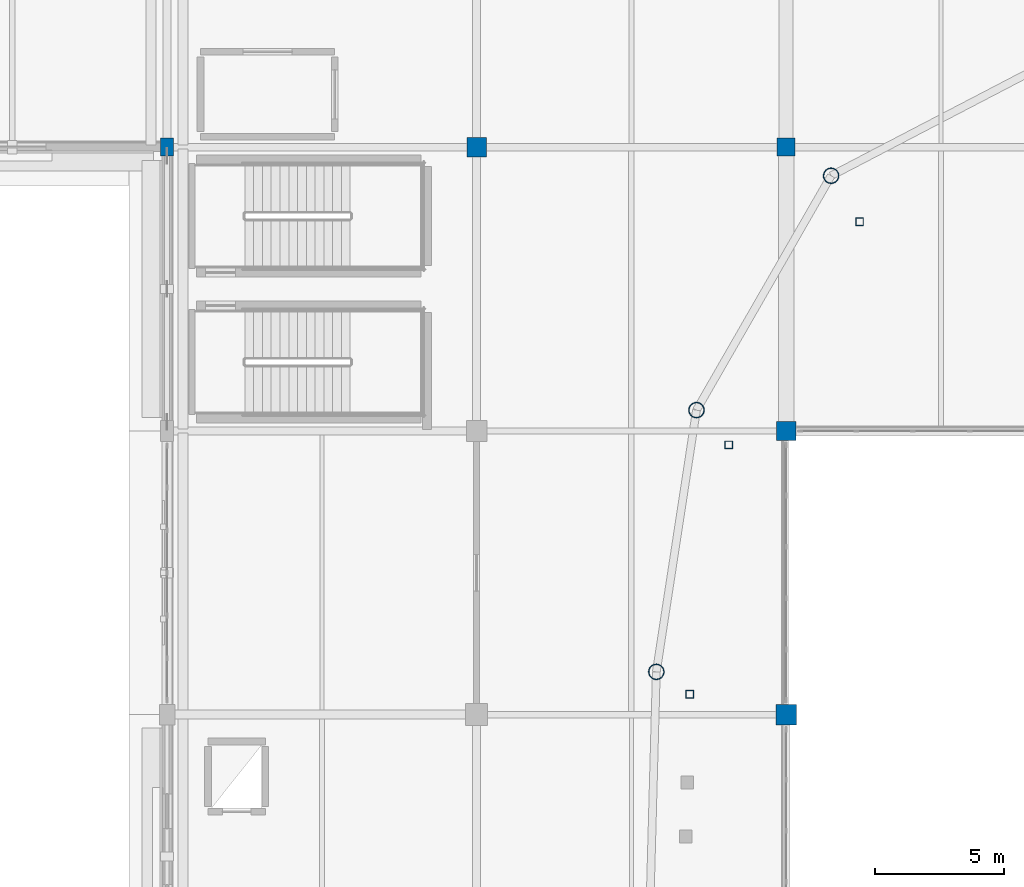
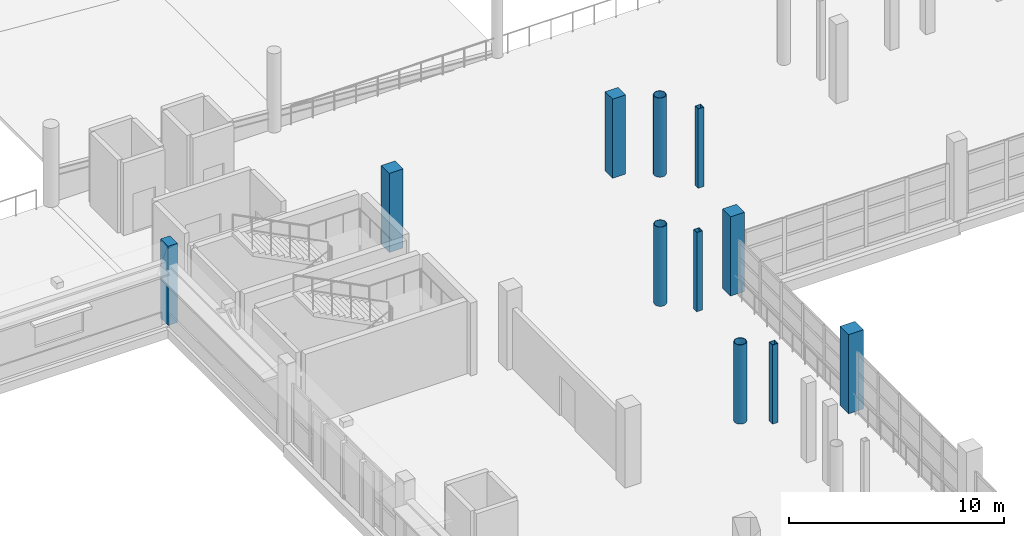
# One storey, part 9 of 118: 11 columns.
"""IFC4 building model written with IfcOpenShell, lengths in metres."""

from ifc_helpers import new_model, si_unit, direction, frame, origin, origin_2d, place, context, subcontext, project, spatial, rectangle, hollow_rectangle, hollow_circle, extrude, material, material_profile, profile_set, type_object, element, save


model = new_model("IFC4")

# Units and contexts
model_context = context("Model", 3, precision=1e-05, world=origin(), true_north=direction((0.0, 1.0)))
body_context = subcontext(model_context, "Body", "Model", "MODEL_VIEW")
ifc_project = project(units=[si_unit("LENGTHUNIT", "METRE"), si_unit("AREAUNIT", "SQUARE_METRE"), si_unit("VOLUMEUNIT", "CUBIC_METRE"), si_unit("PLANEANGLEUNIT", "RADIAN"), si_unit("MASSUNIT", "GRAM", prefix="KILO")], contexts=[model_context])

# Site, building, storey
site_placement = place(None, origin())
site = spatial("IfcSite", under=ifc_project, at=site_placement, CompositionType="ELEMENT")
building_placement = place(site_placement, origin())
building = spatial("IfcBuilding", under=site, at=building_placement, Name="Luwafu Chhajja Arena", CompositionType="ELEMENT")
storey_placement = place(building_placement, frame((0.0, 0.0, 10.199951171875)))
storey = spatial("IfcBuildingStorey", under=building, at=storey_placement, Name="L02", CompositionType="ELEMENT", Elevation=10.199951171875)

# Columns
ifc_material_1 = material(Name="Concrete C35/45", Category="concrete")
ifc_material_profile_1 = material_profile(ifc_material_1, rectangle(XDim=0.800048828125, YDim=0.800048828125, at=origin_2d()), Name="RC 800x800")
ifc_profile_set_1 = profile_set([ifc_material_profile_1], Name="Concrete C35/45")
column_type_1 = type_object("IfcColumnType", Name="Concourse Standard Column RC 800", PredefinedType="COLUMN", material=ifc_profile_set_1)
column_1_placement = place(storey_placement, frame((58.0, 66.0, 0.0), z_axis=(0.0, 0.0, 1.0), x_axis=(1.0, 0.0, 0.0)))
element("IfcColumn", 1, at=column_1_placement, inside=storey, type_object=column_type_1, Name="L02 Grid Column 6/G", PredefinedType="COLUMN", context=body_context, shape_type="SweptSolid", body=[
    extrude(rectangle(XDim=0.800048828125, YDim=0.800048828125, at=origin_2d()), origin(), (0.0, 0.0, 1.0), 4.5),
])
ifc_material_profile_2 = material_profile(ifc_material_1, rectangle(XDim=0.75, YDim=0.75, at=origin_2d()), Name="RC 750x750")
ifc_profile_set_2 = profile_set([ifc_material_profile_2], Name="Concrete C35/45")
column_type_2 = type_object("IfcColumnType", Name="Hospitality Ring Column RC 750", PredefinedType="COLUMN", material=ifc_profile_set_2)
for number, where, z_axis, x_axis, name in (
    (2, (46.0, 88.0, 0.0), (0.0, 0.0, 1.0), (1.0, 0.0, 0.0), "L02 Grid Column 5/J"),
    (3, (58.0, 77.0, 0.0), (0.0, 0.0, 1.0), (1.0, 0.0, 0.0), "L02 Grid Column 6/H"),
):
    element("IfcColumn", number, at=place(storey_placement, frame(where, z_axis=z_axis, x_axis=x_axis)), inside=storey, type_object=column_type_2, Name=name, PredefinedType="COLUMN", context=body_context, shape_type="SweptSolid", body=[
        extrude(rectangle(XDim=0.75, YDim=0.75, at=origin_2d()), origin(), (0.0, 0.0, 1.0), 4.5),
    ])
ifc_material_profile_3 = material_profile(ifc_material_1, rectangle(XDim=0.5, YDim=0.699951171875, at=origin_2d()), Name="RC 500x700")
ifc_profile_set_3 = profile_set([ifc_material_profile_3], Name="Concrete C35/45")
column_type_3 = type_object("IfcColumnType", Name="Perimeter Pilaster Column RC 500x700", PredefinedType="COLUMN", material=ifc_profile_set_3)
column_2_placement = place(storey_placement, frame((34.0, 88.0, 0.0), z_axis=(0.0, 0.0, 1.0), x_axis=(1.0, 0.0, 0.0)))
element("IfcColumn", 4, at=column_2_placement, inside=storey, type_object=column_type_3, Name="L02 Grid Column 4/J", PredefinedType="COLUMN", context=body_context, shape_type="SweptSolid", body=[
    extrude(rectangle(XDim=0.5, YDim=0.699951171875, at=origin_2d()), origin(), (0.0, 0.0, 1.0), 4.5),
])
ifc_material_2 = material(Name="Steel S355", Category="steel")
ifc_material_profile_4 = material_profile(ifc_material_2, hollow_circle(Radius=0.304931640625, WallThickness=0.02490234375, at=origin_2d()), Name="CHS 610x25")
ifc_profile_set_4 = profile_set([ifc_material_profile_4], Name="Steel S355")
column_type_4 = type_object("IfcColumnType", Name="Steel Bowl Drum Column CHS 610", PredefinedType="COLUMN", material=ifc_profile_set_4)
for number, where, z_axis, x_axis, name in (
    (5, (59.743896484375, 86.890869140625, 0.0), (0.0, 0.0, 1.0), (1.0, 0.0, 0.0), "L02 Bowl Drum Column D13"),
    (6, (54.52392578125, 77.805908203125, 0.0), (0.0, 0.0, 1.0), (1.0, 0.0, 0.0), "L02 Bowl Drum Column D14"),
    (7, (52.968017578125, 67.6611328125, 0.0), (0.0, 0.0, 1.0), (1.0, 0.0, 0.0), "L02 Bowl Drum Column D15"),
):
    element("IfcColumn", number, at=place(storey_placement, frame(where, z_axis=z_axis, x_axis=x_axis)), inside=storey, type_object=column_type_4, Name=name, PredefinedType="COLUMN", context=body_context, shape_type="SweptSolid", body=[
        extrude(hollow_circle(Radius=0.304931640625, WallThickness=0.02490234375, at=origin_2d()), origin(), (0.0, 0.0, 1.0), 4.5),
    ])
ifc_material_profile_5 = material_profile(ifc_material_2, hollow_rectangle(XDim=0.300048828125, YDim=0.300048828125, WallThickness=0.01611328125, at=origin_2d()), Name="SHS 300x300x16")
ifc_profile_set_5 = profile_set([ifc_material_profile_5], Name="Steel S355")
column_type_5 = type_object("IfcColumnType", Name="Steel Gallery Post SHS 300", PredefinedType="COLUMN", material=ifc_profile_set_5)
for number, where, z_axis, x_axis, name in (
    (8, (60.84619140625, 85.1103515625, 0.0), (0.0, 0.0, 1.0), (1.0, 0.0, 0.0), "L02 Upper Bowl Raker Column UO13"),
    (9, (55.772705078125, 76.4580078125, 0.0), (0.0, 0.0, 1.0), (1.0, 0.0, 0.0), "L02 Upper Bowl Raker Column UO14"),
    (10, (54.260498046875, 66.79638671875, 0.0), (0.0, 0.0, 1.0), (1.0, 0.0, 0.0), "L02 Upper Bowl Raker Column UO15"),
):
    element("IfcColumn", number, at=place(storey_placement, frame(where, z_axis=z_axis, x_axis=x_axis)), inside=storey, type_object=column_type_5, Name=name, PredefinedType="COLUMN", context=body_context, shape_type="SweptSolid", body=[
        extrude(hollow_rectangle(XDim=0.300048828125, YDim=0.300048828125, WallThickness=0.01611328125, at=origin_2d()), origin(), (0.0, 0.0, 1.0), 4.5),
    ])
ifc_material_profile_6 = material_profile(ifc_material_1, rectangle(XDim=0.699951171875, YDim=0.699951171875, at=origin_2d()), Name="RC 700x700")
ifc_profile_set_6 = profile_set([ifc_material_profile_6], Name="Concrete C35/45")
column_type_6 = type_object("IfcColumnType", Name="Wing Frame Column RC 700", PredefinedType="COLUMN", material=ifc_profile_set_6)
column_3_placement = place(storey_placement, frame((58.0, 88.0, 0.0), z_axis=(0.0, 0.0, 1.0), x_axis=(1.0, 0.0, 0.0)))
element("IfcColumn", 11, at=column_3_placement, inside=storey, type_object=column_type_6, Name="L02 Grid Column 6/J", PredefinedType="COLUMN", context=body_context, shape_type="SweptSolid", body=[
    extrude(rectangle(XDim=0.699951171875, YDim=0.699951171875, at=origin_2d()), origin(), (0.0, 0.0, 1.0), 4.5),
])

save(model, "model.ifc")
